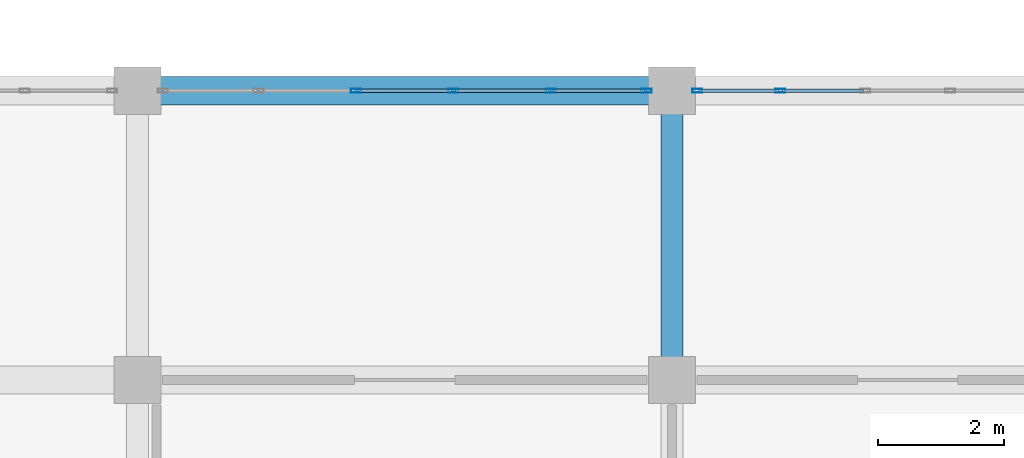
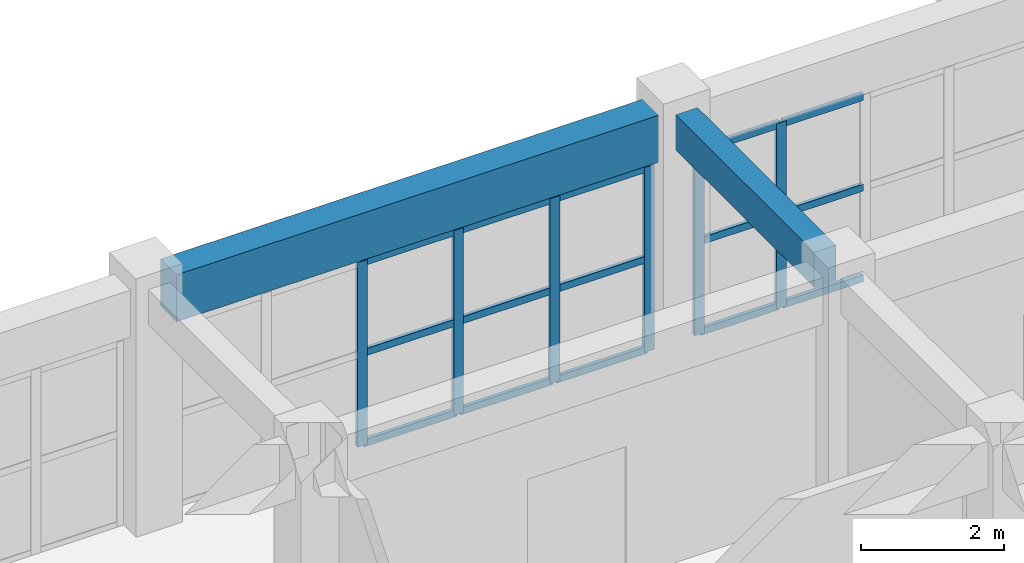
# One storey, part 37 of 90: 21 members, 2 beams, 2 elements without a shape of their own.
"""IFC4 building model written with IfcOpenShell, lengths in metres."""

from ifc_helpers import new_model, si_unit, direction, frame, origin, origin_2d, place, context, subcontext, project, spatial, rectangle, hollow_rectangle, extrude, material, layer, layer_set, material_profile, profile_set, type_object, element, aggregate, save


model = new_model("IFC4")

# Units and contexts
model_context = context("Model", 3, precision=1e-05, world=origin(), true_north=direction((0.0, 1.0)))
body_context = subcontext(model_context, "Body", "Model", "MODEL_VIEW")
ifc_project = project(units=[si_unit("LENGTHUNIT", "METRE"), si_unit("AREAUNIT", "SQUARE_METRE"), si_unit("VOLUMEUNIT", "CUBIC_METRE"), si_unit("PLANEANGLEUNIT", "RADIAN"), si_unit("MASSUNIT", "GRAM", prefix="KILO")], contexts=[model_context])

# Site, building, storey
site_placement = place(None, origin())
site = spatial("IfcSite", under=ifc_project, at=site_placement, CompositionType="ELEMENT")
building_placement = place(site_placement, origin())
building = spatial("IfcBuilding", under=site, at=building_placement, Name="Muzn Square Opera House", CompositionType="ELEMENT")
storey_placement = place(building_placement, frame((0.0, 0.0, 9.800048828125)))
storey = spatial("IfcBuildingStorey", under=building, at=storey_placement, Name="L02", CompositionType="ELEMENT", Elevation=9.800048828125)

# Curtain wall, members
ifc_material_1 = material(Name="Low-E laminated acoustic double glazing", Category="glass")
ifc_layer_1 = layer(ifc_material_1, 0.159912109375, Name="Low-E laminated acoustic double glazing", Category="glass")
ifc_layer_set_1 = layer_set([ifc_layer_1], Name="Low-E laminated acoustic double glazing")
curtain_wall_type_1 = type_object("IfcCurtainWallType", Name="Glazed Curtain Wall EastCloisterS 7750x3150", PredefinedType="USERDEFINED", material=ifc_layer_set_1)
curtain_wall_1_placement = place(storey_placement, origin())
curtain_wall_1 = element("IfcCurtainWall", 1, at=curtain_wall_1_placement, inside=storey, type_object=curtain_wall_type_1, Name="Glazed Curtain Wall CW-L02-101", ObjectType="GLAZED CURTAIN WALL", PredefinedType="USERDEFINED")
ifc_material_2 = material(Name="Anodised bronze aluminium 6063-T6", Category="metal")
ifc_material_profile_1 = material_profile(ifc_material_2, hollow_rectangle(XDim=0.06005859375, YDim=0.159912109375, WallThickness=0.00390625, at=origin_2d()), Name="ALU 160x60x4", Category="metal")
ifc_profile_set_1 = profile_set([ifc_material_profile_1], Name="Anodised bronze aluminium 6063-T6")
member_type_1 = type_object("IfcMemberType", Name="Curtain Wall Mullion 160x60", PredefinedType="MULLION", material=ifc_profile_set_1)
member_1_placement = place(storey_placement, frame((144.47509765625, 31.199951171875, 0.0), z_axis=(0.0, 0.0, 1.0), x_axis=(0.0, 1.0, 0.0)))
member_1 = element("IfcMember", 2, at=member_1_placement, type_object=member_type_1, Name="CW-ECS-77x31 mullion 3", PredefinedType="MULLION", context=body_context, shape_type="SweptSolid", body=[
    extrude(hollow_rectangle(XDim=0.06005859375, YDim=0.159912109375, WallThickness=0.00390625, at=origin_2d()), origin(), (0.0, 0.0, 1.0), 3.14990234375),
])
member_2_placement = place(storey_placement, frame((146.02490234375, 31.199951171875, 0.0), z_axis=(0.0, 0.0, 1.0), x_axis=(0.0, 1.0, 0.0)))
member_2 = element("IfcMember", 3, at=member_2_placement, type_object=member_type_1, Name="CW-ECS-77x31 mullion 4", PredefinedType="MULLION", context=body_context, shape_type="SweptSolid", body=[
    extrude(hollow_rectangle(XDim=0.06005859375, YDim=0.159912109375, WallThickness=0.00390625, at=origin_2d()), origin(), (0.0, 0.0, 1.0), 3.14990234375),
])
member_3_placement = place(storey_placement, frame((147.574951171875, 31.199951171875, 0.0), z_axis=(0.0, 0.0, 1.0), x_axis=(0.0, 1.0, 0.0)))
member_3 = element("IfcMember", 4, at=member_3_placement, type_object=member_type_1, Name="CW-ECS-77x31 mullion 5", PredefinedType="MULLION", context=body_context, shape_type="SweptSolid", body=[
    extrude(hollow_rectangle(XDim=0.06005859375, YDim=0.159912109375, WallThickness=0.00390625, at=origin_2d()), origin(), (0.0, 0.0, 1.0), 3.14990234375),
])
member_4_placement = place(storey_placement, frame((149.094970703125, 31.199951171875, 0.0), z_axis=(0.0, 0.0, 1.0), x_axis=(0.0, 1.0, 0.0)))
member_4 = element("IfcMember", 5, at=member_4_placement, type_object=member_type_1, Name="CW-ECS-77x31 mullion 6", PredefinedType="MULLION", context=body_context, shape_type="SweptSolid", body=[
    extrude(hollow_rectangle(XDim=0.06005859375, YDim=0.159912109375, WallThickness=0.00390625, at=origin_2d()), origin(), (0.0, 0.0, 1.0), 3.14990234375),
])

ifc_layer_2 = layer(ifc_material_1, 0.159912109375, Name="Low-E laminated acoustic double glazing", Category="glass")
ifc_layer_set_2 = layer_set([ifc_layer_2], Name="Low-E laminated acoustic double glazing")
curtain_wall_type_2 = type_object("IfcCurtainWallType", Name="Glazed Curtain Wall EastCloisterS 6750x3150", PredefinedType="USERDEFINED", material=ifc_layer_set_2)
curtain_wall_2_placement = place(storey_placement, origin())
curtain_wall_2 = element("IfcCurtainWall", 6, at=curtain_wall_2_placement, inside=storey, type_object=curtain_wall_type_2, Name="Glazed Curtain Wall CW-L02-103", ObjectType="GLAZED CURTAIN WALL", PredefinedType="USERDEFINED")
member_5_placement = place(storey_placement, frame((149.905029296875, 31.199951171875, 0.0), z_axis=(0.0, 0.0, 1.0), x_axis=(0.0, 1.0, 0.0)))
member_5 = element("IfcMember", 7, at=member_5_placement, type_object=member_type_1, Name="CW-ECS-67x31 mullion 1", PredefinedType="MULLION", context=body_context, shape_type="SweptSolid", body=[
    extrude(hollow_rectangle(XDim=0.06005859375, YDim=0.159912109375, WallThickness=0.00390625, at=origin_2d()), origin(), (0.0, 0.0, 1.0), 3.14990234375),
])
member_6_placement = place(storey_placement, frame((151.22509765625, 31.199951171875, 0.0), z_axis=(0.0, 0.0, 1.0), x_axis=(0.0, 1.0, 0.0)))
member_6 = element("IfcMember", 8, at=member_6_placement, type_object=member_type_1, Name="CW-ECS-67x31 mullion 2", PredefinedType="MULLION", context=body_context, shape_type="SweptSolid", body=[
    extrude(hollow_rectangle(XDim=0.06005859375, YDim=0.159912109375, WallThickness=0.00390625, at=origin_2d()), origin(), (0.0, 0.0, 1.0), 3.14990234375),
])

# Member
ifc_material_profile_2 = material_profile(ifc_material_2, hollow_rectangle(XDim=0.06005859375, YDim=0.1201171875, WallThickness=0.00390625, at=origin_2d()), Name="ALU 120x60x4", Category="metal")
ifc_profile_set_2 = profile_set([ifc_material_profile_2], Name="Anodised bronze aluminium 6063-T6")
member_type_2 = type_object("IfcMemberType", Name="Curtain Wall Transom 120x60", PredefinedType="USERDEFINED", material=ifc_profile_set_2)
member_7_placement = place(storey_placement, frame((144.5048828125, 31.199951171875, 0.030029296875), z_axis=(1.0, 0.0, 0.0), x_axis=(0.0, 1.0, 0.0)))
member_7 = element("IfcMember", 9, at=member_7_placement, type_object=member_type_2, Name="CW-ECS-77x31 transom 3.1", ObjectType="TRANSOM", PredefinedType="USERDEFINED", context=body_context, shape_type="SweptSolid", body=[
    extrude(hollow_rectangle(XDim=0.06005859375, YDim=0.1201171875, WallThickness=0.00390625, at=origin_2d()), origin(), (0.0, 0.0, 1.0), 1.490234375),
])

member_8_placement = place(storey_placement, frame((144.5048828125, 31.199951171875, 1.574951171875), z_axis=(1.0, 0.0, 0.0), x_axis=(0.0, 1.0, 0.0)))
member_8 = element("IfcMember", 10, at=member_8_placement, type_object=member_type_2, Name="CW-ECS-77x31 transom 3.2", ObjectType="TRANSOM", PredefinedType="USERDEFINED", context=body_context, shape_type="SweptSolid", body=[
    extrude(hollow_rectangle(XDim=0.06005859375, YDim=0.1201171875, WallThickness=0.00390625, at=origin_2d()), origin(), (0.0, 0.0, 1.0), 1.490234375),
])

member_9_placement = place(storey_placement, frame((144.5048828125, 31.199951171875, 3.119873046875), z_axis=(1.0, 0.0, 0.0), x_axis=(0.0, 1.0, 0.0)))
member_9 = element("IfcMember", 11, at=member_9_placement, type_object=member_type_2, Name="CW-ECS-77x31 transom 3.3", ObjectType="TRANSOM", PredefinedType="USERDEFINED", context=body_context, shape_type="SweptSolid", body=[
    extrude(hollow_rectangle(XDim=0.06005859375, YDim=0.1201171875, WallThickness=0.00390625, at=origin_2d()), origin(), (0.0, 0.0, 1.0), 1.490234375),
])

member_10_placement = place(storey_placement, frame((146.054931640625, 31.199951171875, 0.030029296875), z_axis=(1.0, 0.0, 0.0), x_axis=(0.0, 1.0, 0.0)))
member_10 = element("IfcMember", 12, at=member_10_placement, type_object=member_type_2, Name="CW-ECS-77x31 transom 4.1", ObjectType="TRANSOM", PredefinedType="USERDEFINED", context=body_context, shape_type="SweptSolid", body=[
    extrude(hollow_rectangle(XDim=0.06005859375, YDim=0.1201171875, WallThickness=0.00390625, at=origin_2d()), origin(), (0.0, 0.0, 1.0), 1.489990234375),
])

member_11_placement = place(storey_placement, frame((146.054931640625, 31.199951171875, 1.574951171875), z_axis=(1.0, 0.0, 0.0), x_axis=(0.0, 1.0, 0.0)))
member_11 = element("IfcMember", 13, at=member_11_placement, type_object=member_type_2, Name="CW-ECS-77x31 transom 4.2", ObjectType="TRANSOM", PredefinedType="USERDEFINED", context=body_context, shape_type="SweptSolid", body=[
    extrude(hollow_rectangle(XDim=0.06005859375, YDim=0.1201171875, WallThickness=0.00390625, at=origin_2d()), origin(), (0.0, 0.0, 1.0), 1.489990234375),
])

member_12_placement = place(storey_placement, frame((146.054931640625, 31.199951171875, 3.119873046875), z_axis=(1.0, 0.0, 0.0), x_axis=(0.0, 1.0, 0.0)))
member_12 = element("IfcMember", 14, at=member_12_placement, type_object=member_type_2, Name="CW-ECS-77x31 transom 4.3", ObjectType="TRANSOM", PredefinedType="USERDEFINED", context=body_context, shape_type="SweptSolid", body=[
    extrude(hollow_rectangle(XDim=0.06005859375, YDim=0.1201171875, WallThickness=0.00390625, at=origin_2d()), origin(), (0.0, 0.0, 1.0), 1.489990234375),
])

member_13_placement = place(storey_placement, frame((147.60498046875, 31.199951171875, 0.030029296875), z_axis=(1.0, 0.0, 0.0), x_axis=(0.0, 1.0, 0.0)))
member_13 = element("IfcMember", 15, at=member_13_placement, type_object=member_type_2, Name="CW-ECS-77x31 transom 5.1", ObjectType="TRANSOM", PredefinedType="USERDEFINED", context=body_context, shape_type="SweptSolid", body=[
    extrude(hollow_rectangle(XDim=0.06005859375, YDim=0.1201171875, WallThickness=0.00390625, at=origin_2d()), origin(), (0.0, 0.0, 1.0), 1.4599609375),
])

member_14_placement = place(storey_placement, frame((147.60498046875, 31.199951171875, 1.574951171875), z_axis=(1.0, 0.0, 0.0), x_axis=(0.0, 1.0, 0.0)))
member_14 = element("IfcMember", 16, at=member_14_placement, type_object=member_type_2, Name="CW-ECS-77x31 transom 5.2", ObjectType="TRANSOM", PredefinedType="USERDEFINED", context=body_context, shape_type="SweptSolid", body=[
    extrude(hollow_rectangle(XDim=0.06005859375, YDim=0.1201171875, WallThickness=0.00390625, at=origin_2d()), origin(), (0.0, 0.0, 1.0), 1.4599609375),
])

member_15_placement = place(storey_placement, frame((147.60498046875, 31.199951171875, 3.119873046875), z_axis=(1.0, 0.0, 0.0), x_axis=(0.0, 1.0, 0.0)))
member_15 = element("IfcMember", 17, at=member_15_placement, type_object=member_type_2, Name="CW-ECS-77x31 transom 5.3", ObjectType="TRANSOM", PredefinedType="USERDEFINED", context=body_context, shape_type="SweptSolid", body=[
    extrude(hollow_rectangle(XDim=0.06005859375, YDim=0.1201171875, WallThickness=0.00390625, at=origin_2d()), origin(), (0.0, 0.0, 1.0), 1.4599609375),
])

aggregate(curtain_wall_1, [member_1, member_2, member_3, member_4, member_7, member_8, member_9, member_10, member_11, member_12, member_13, member_14, member_15])

member_16_placement = place(storey_placement, frame((149.93505859375, 31.199951171875, 0.030029296875), z_axis=(1.0, 0.0, 0.0), x_axis=(0.0, 1.0, 0.0)))
member_16 = element("IfcMember", 18, at=member_16_placement, type_object=member_type_2, Name="CW-ECS-67x31 transom 1.1", ObjectType="TRANSOM", PredefinedType="USERDEFINED", context=body_context, shape_type="SweptSolid", body=[
    extrude(hollow_rectangle(XDim=0.06005859375, YDim=0.1201171875, WallThickness=0.00390625, at=origin_2d()), origin(), (0.0, 0.0, 1.0), 1.260009765625),
])

member_17_placement = place(storey_placement, frame((149.93505859375, 31.199951171875, 1.574951171875), z_axis=(1.0, 0.0, 0.0), x_axis=(0.0, 1.0, 0.0)))
member_17 = element("IfcMember", 19, at=member_17_placement, type_object=member_type_2, Name="CW-ECS-67x31 transom 1.2", ObjectType="TRANSOM", PredefinedType="USERDEFINED", context=body_context, shape_type="SweptSolid", body=[
    extrude(hollow_rectangle(XDim=0.06005859375, YDim=0.1201171875, WallThickness=0.00390625, at=origin_2d()), origin(), (0.0, 0.0, 1.0), 1.260009765625),
])

member_18_placement = place(storey_placement, frame((149.93505859375, 31.199951171875, 3.119873046875), z_axis=(1.0, 0.0, 0.0), x_axis=(0.0, 1.0, 0.0)))
member_18 = element("IfcMember", 20, at=member_18_placement, type_object=member_type_2, Name="CW-ECS-67x31 transom 1.3", ObjectType="TRANSOM", PredefinedType="USERDEFINED", context=body_context, shape_type="SweptSolid", body=[
    extrude(hollow_rectangle(XDim=0.06005859375, YDim=0.1201171875, WallThickness=0.00390625, at=origin_2d()), origin(), (0.0, 0.0, 1.0), 1.260009765625),
])

member_19_placement = place(storey_placement, frame((151.2548828125, 31.199951171875, 0.030029296875), z_axis=(1.0, 0.0, 0.0), x_axis=(0.0, 1.0, 0.0)))
member_19 = element("IfcMember", 21, at=member_19_placement, type_object=member_type_2, Name="CW-ECS-67x31 transom 2.1", ObjectType="TRANSOM", PredefinedType="USERDEFINED", context=body_context, shape_type="SweptSolid", body=[
    extrude(hollow_rectangle(XDim=0.06005859375, YDim=0.1201171875, WallThickness=0.00390625, at=origin_2d()), origin(), (0.0, 0.0, 1.0), 1.2900390625),
])

member_20_placement = place(storey_placement, frame((151.2548828125, 31.199951171875, 1.574951171875), z_axis=(1.0, 0.0, 0.0), x_axis=(0.0, 1.0, 0.0)))
member_20 = element("IfcMember", 22, at=member_20_placement, type_object=member_type_2, Name="CW-ECS-67x31 transom 2.2", ObjectType="TRANSOM", PredefinedType="USERDEFINED", context=body_context, shape_type="SweptSolid", body=[
    extrude(hollow_rectangle(XDim=0.06005859375, YDim=0.1201171875, WallThickness=0.00390625, at=origin_2d()), origin(), (0.0, 0.0, 1.0), 1.2900390625),
])

member_21_placement = place(storey_placement, frame((151.2548828125, 31.199951171875, 3.119873046875), z_axis=(1.0, 0.0, 0.0), x_axis=(0.0, 1.0, 0.0)))
member_21 = element("IfcMember", 23, at=member_21_placement, type_object=member_type_2, Name="CW-ECS-67x31 transom 2.3", ObjectType="TRANSOM", PredefinedType="USERDEFINED", context=body_context, shape_type="SweptSolid", body=[
    extrude(hollow_rectangle(XDim=0.06005859375, YDim=0.1201171875, WallThickness=0.00390625, at=origin_2d()), origin(), (0.0, 0.0, 1.0), 1.2900390625),
])

aggregate(curtain_wall_2, [member_5, member_6, member_16, member_17, member_18, member_19, member_20, member_21])

# Beams
ifc_material_3 = material(Name="Concrete C40/50", Category="concrete")
ifc_material_profile_3 = material_profile(ifc_material_3, rectangle(XDim=0.35009765625, YDim=0.60009765625, at=origin_2d()), Name="RCB 350x600", Category="concrete")
ifc_profile_set_3 = profile_set([ifc_material_profile_3], Name="Concrete C40/50")
beam_type_1 = type_object("IfcBeamType", Name="Primary Girder 350x600", PredefinedType="BEAM", material=ifc_profile_set_3)
beam_1_placement = place(storey_placement, frame((149.5, 26.967041015625, 3.849853515625), z_axis=(0.0, 1.0, 0.0), x_axis=(-1.0, 0.0, 0.0)))
element("IfcBeam", 24, at=beam_1_placement, inside=storey, type_object=beam_type_1, Name="Primary Girder BM-L02-BM-PG600-1495_270_1495_308-2272", PredefinedType="BEAM", context=body_context, shape_type="SweptSolid", body=[
    extrude(rectangle(XDim=0.35009765625, YDim=0.60009765625, at=origin_2d()), origin(), (0.0, 0.0, 1.0), 3.865966796875),
])
ifc_material_profile_4 = material_profile(ifc_material_3, rectangle(XDim=0.449951171875, YDim=0.800048828125, at=origin_2d()), Name="RCB 450x800", Category="concrete")
ifc_profile_set_4 = profile_set([ifc_material_profile_4], Name="Concrete C40/50")
beam_type_2 = type_object("IfcBeamType", Name="Primary Girder 450x800", PredefinedType="BEAM", material=ifc_profile_set_4)
beam_2_placement = place(storey_placement, frame((141.366943359375, 31.199951171875, 3.719970703125), z_axis=(1.0, 0.0, 0.0), x_axis=(0.0, 1.0, 0.0)))
element("IfcBeam", 25, at=beam_2_placement, inside=storey, type_object=beam_type_2, Name="Primary Girder BM-L02-BM-PG800-1414_312_1491_312-1994", PredefinedType="BEAM", context=body_context, shape_type="SweptSolid", body=[
    extrude(rectangle(XDim=0.449951171875, YDim=0.800048828125, at=origin_2d()), origin(), (0.0, 0.0, 1.0), 7.76611328125),
])

save(model, "model.ifc")
